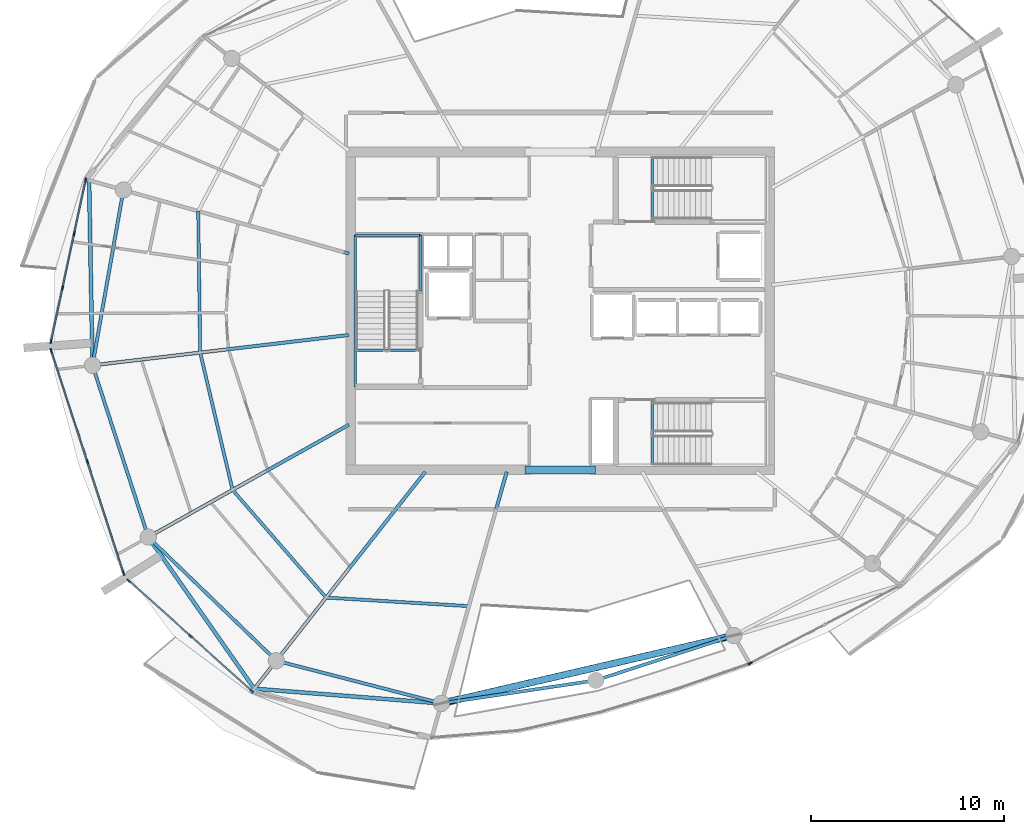
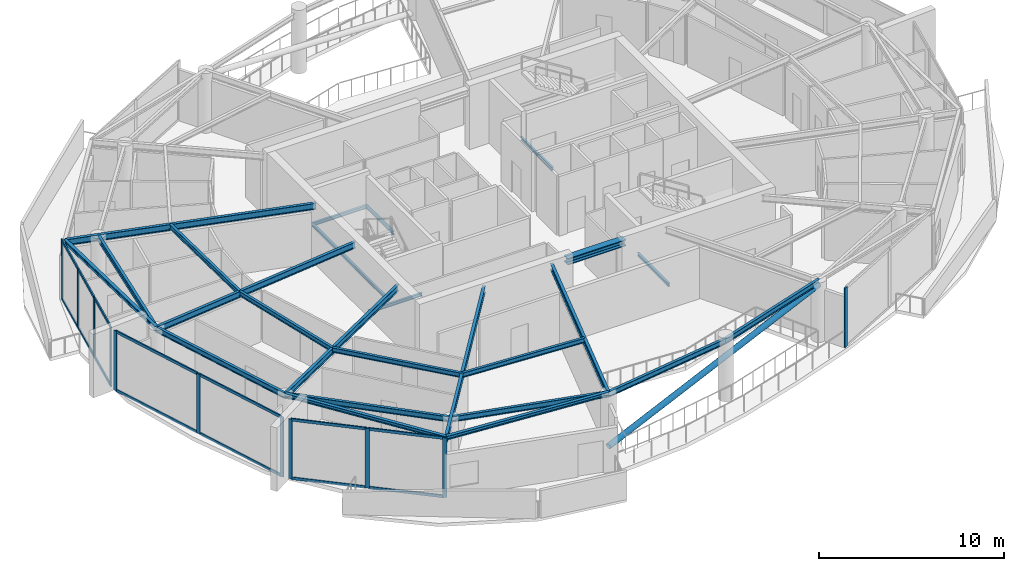
# One storey, part 5 of 22: 26 members, 25 beams, 4 elements without a shape of their own.
"""IFC4 building model written with IfcOpenShell, lengths in metres."""

from ifc_helpers import new_model, si_unit, direction, frame, origin, origin_2d, place, context, subcontext, project, spatial, rectangle, hollow_circle, i_section, extrude, material, layer, layer_set, material_profile, profile_set, type_object, element, aggregate, save


model = new_model("IFC4")

# Units and contexts
model_context = context("Model", 3, precision=1e-05, world=origin(), true_north=direction((0.0, 1.0)))
body_context = subcontext(model_context, "Body", "Model", "MODEL_VIEW")
ifc_project = project(units=[si_unit("LENGTHUNIT", "METRE"), si_unit("AREAUNIT", "SQUARE_METRE"), si_unit("VOLUMEUNIT", "CUBIC_METRE"), si_unit("PLANEANGLEUNIT", "RADIAN"), si_unit("MASSUNIT", "GRAM", prefix="KILO")], contexts=[model_context])

# Site, building, storey
site_placement = place(None, origin())
site = spatial("IfcSite", under=ifc_project, at=site_placement, CompositionType="ELEMENT")
building_placement = place(site_placement, origin())
building = spatial("IfcBuilding", under=site, at=building_placement, Name="Kazma Halo Residences", CompositionType="ELEMENT")
storey_placement = place(building_placement, frame((0.0, 0.0, 334.699951171875)))
storey = spatial("IfcBuildingStorey", under=building, at=storey_placement, Name="L84", CompositionType="ELEMENT", Elevation=334.699951171875)

# Beams
ifc_material_1 = material(Name="Steel S355", Category="steel")
ifc_material_profile_1 = material_profile(ifc_material_1, i_section(OverallWidth=0.201904296875, OverallDepth=0.2470703125, WebThickness=0.00732421875, FlangeThickness=0.010986328125, FilletRadius=0.011962890625, at=origin_2d()), Name="W250x49.1")
ifc_profile_set_1 = profile_set([ifc_material_profile_1], Name="Steel S355")
beam_type_1 = type_object("IfcBeamType", Name="BM-BAL-CANT", PredefinedType="BEAM", material=ifc_profile_set_1)
beam_1_placement = place(storey_placement, frame((23.9638671875, 48.77880859375, 3.816650390625), z_axis=(0.018301708623, -0.999832509704, 0.0), x_axis=(0.999832509704, 0.018301708623, 0.0)))
element("IfcBeam", 1, at=beam_1_placement, inside=storey, type_object=beam_type_1, Name="L84 wave-balcony tie beam 07", PredefinedType="BEAM", context=body_context, shape_type="SweptSolid", body=[
    extrude(i_section(OverallWidth=0.201904296875, OverallDepth=0.2470703125, WebThickness=0.00732421875, FlangeThickness=0.010986328125, FilletRadius=0.011962890625, at=origin_2d()), origin(), (0.0, 0.0, 1.0), 9.604736328125),
])
beam_2_placement = place(storey_placement, frame((27.03662109375, 30.260009765625, 3.816650390625), z_axis=(0.572873629847, -0.819643705659, 0.0), x_axis=(0.819643705659, 0.572873629847, 0.0)))
element("IfcBeam", 2, at=beam_2_placement, inside=storey, type_object=beam_type_1, Name="L84 wave-balcony lead tie beam 09", PredefinedType="BEAM", context=body_context, shape_type="SweptSolid", body=[
    extrude(i_section(OverallWidth=0.201904296875, OverallDepth=0.2470703125, WebThickness=0.00732421875, FlangeThickness=0.010986328125, FilletRadius=0.011962890625, at=origin_2d()), origin(), (0.0, 0.0, 1.0), 9.6044921875),
])
beam_3_placement = place(storey_placement, frame((32.538818359375, 22.3876953125, 3.816650390625), z_axis=(0.996920506796, -0.078418767718, 0.0), x_axis=(0.078418767718, 0.996920506796, 0.0)))
element("IfcBeam", 3, at=beam_3_placement, inside=storey, type_object=beam_type_1, Name="L84 wave-balcony tie beam 10", PredefinedType="BEAM", context=body_context, shape_type="SweptSolid", body=[
    extrude(i_section(OverallWidth=0.201904296875, OverallDepth=0.2470703125, WebThickness=0.00732421875, FlangeThickness=0.010986328125, FilletRadius=0.011962890625, at=origin_2d()), origin(), (0.0, 0.0, 1.0), 9.74462890625),
])
ifc_material_profile_2 = material_profile(ifc_material_1, i_section(OverallWidth=0.408935546875, OverallDepth=0.425048828125, WebThickness=0.03271484375, FlangeThickness=0.052490234375, FilletRadius=0.02001953125, at=origin_2d()), Name="W360x421")
ifc_profile_set_2 = profile_set([ifc_material_profile_2], Name="Steel S355")
beam_type_2 = type_object("IfcBeamType", Name="BM-CORE-W360H", PredefinedType="BEAM", material=ifc_profile_set_2)
beam_4_placement = place(storey_placement, frame((46.60009765625, 33.75, 3.7275390625), z_axis=(1.0, 0.0, 0.0), x_axis=(0.0, 1.0, 0.0)))
element("IfcBeam", 4, at=beam_4_placement, inside=storey, type_object=beam_type_2, Name="L84 core coupling beam S", PredefinedType="BEAM", context=body_context, shape_type="SweptSolid", body=[
    extrude(i_section(OverallWidth=0.408935546875, OverallDepth=0.425048828125, WebThickness=0.03271484375, FlangeThickness=0.052490234375, FilletRadius=0.02001953125, at=origin_2d()), origin(), (0.0, 0.0, 1.0), 3.64990234375),
])
ifc_material_profile_3 = material_profile(ifc_material_1, i_section(OverallWidth=0.177978515625, OverallDepth=0.406982421875, WebThickness=0.0078125, FlangeThickness=0.0126953125, FilletRadius=0.013916015625, at=origin_2d()), Name="W410x60")
ifc_profile_set_3 = profile_set([ifc_material_profile_3], Name="Steel S355")
beam_type_3 = type_object("IfcBeamType", Name="BM-RAD-W410", PredefinedType="BEAM", material=ifc_profile_set_3)
beam_5_placement = place(storey_placement, frame((37.449951171875, 44.975341796875, 3.736572265625), z_axis=(-0.962455278458, 0.27144030093, 0.0), x_axis=(-0.27144030093, -0.962455278458, 0.0)))
element("IfcBeam", 5, at=beam_5_placement, inside=storey, type_object=beam_type_3, Name="L84 radial floor beam 07", PredefinedType="BEAM", context=body_context, shape_type="SweptSolid", body=[
    extrude(i_section(OverallWidth=0.177978515625, OverallDepth=0.406982421875, WebThickness=0.0078125, FlangeThickness=0.0126953125, FilletRadius=0.013916015625, at=origin_2d()), origin(), (0.0, 0.0, 1.0), 14.01220703125),
])
beam_6_placement = place(storey_placement, frame((37.449951171875, 40.751220703125, 3.736572265625), z_axis=(-0.993067923032, -0.11754190846, 0.0), x_axis=(0.11754190846, -0.993067923032, 0.0)))
element("IfcBeam", 6, at=beam_6_placement, inside=storey, type_object=beam_type_3, Name="L84 radial floor beam 08", PredefinedType="BEAM", context=body_context, shape_type="SweptSolid", body=[
    extrude(i_section(OverallWidth=0.177978515625, OverallDepth=0.406982421875, WebThickness=0.0078125, FlangeThickness=0.0126953125, FilletRadius=0.013916015625, at=origin_2d()), origin(), (0.0, 0.0, 1.0), 13.4033203125),
])
beam_7_placement = place(storey_placement, frame((37.449951171875, 36.091796875, 3.736572265625), z_axis=(-0.872494504737, -0.4886239241, 0.0), x_axis=(0.4886239241, -0.872494504737, 0.0)))
element("IfcBeam", 7, at=beam_7_placement, inside=storey, type_object=beam_type_3, Name="L84 radial floor beam 09", PredefinedType="BEAM", context=body_context, shape_type="SweptSolid", body=[
    extrude(i_section(OverallWidth=0.177978515625, OverallDepth=0.406982421875, WebThickness=0.0078125, FlangeThickness=0.0126953125, FilletRadius=0.013916015625, at=origin_2d()), origin(), (0.0, 0.0, 1.0), 11.93505859375),
])
beam_8_placement = place(storey_placement, frame((41.41748046875, 33.64990234375, 3.736572265625), z_axis=(-0.61910487104, -0.78530832076, 0.0), x_axis=(0.78530832076, -0.61910487104, 0.0)))
element("IfcBeam", 8, at=beam_8_placement, inside=storey, type_object=beam_type_3, Name="L84 radial floor beam 10", PredefinedType="BEAM", context=body_context, shape_type="SweptSolid", body=[
    extrude(i_section(OverallWidth=0.177978515625, OverallDepth=0.406982421875, WebThickness=0.0078125, FlangeThickness=0.0126953125, FilletRadius=0.013916015625, at=origin_2d()), origin(), (0.0, 0.0, 1.0), 14.341064453125),
])
beam_9_placement = place(storey_placement, frame((45.64501953125, 33.64990234375, 3.736572265625), z_axis=(-0.271426752139, -0.962459099507, 0.0), x_axis=(0.962459099507, -0.271426752139, 0.0)))
element("IfcBeam", 9, at=beam_9_placement, inside=storey, type_object=beam_type_3, Name="L84 radial floor beam 11", PredefinedType="BEAM", context=body_context, shape_type="SweptSolid", body=[
    extrude(i_section(OverallWidth=0.177978515625, OverallDepth=0.406982421875, WebThickness=0.0078125, FlangeThickness=0.0126953125, FilletRadius=0.013916015625, at=origin_2d()), origin(), (0.0, 0.0, 1.0), 12.495361328125),
])
ifc_material_profile_4 = material_profile(ifc_material_1, i_section(OverallWidth=0.1650390625, OverallDepth=0.31005859375, WebThickness=0.005859375, FlangeThickness=0.009765625, FilletRadius=0.011962890625, at=origin_2d()), Name="W310x38.7")
ifc_profile_set_4 = profile_set([ifc_material_profile_4], Name="Steel S355")
beam_type_4 = type_object("IfcBeamType", Name="BM-SEC-W310B", PredefinedType="JOIST", material=ifc_profile_set_4)
beam_10_placement = place(storey_placement, frame((29.628173828125, 47.181396484375, 3.78515625), z_axis=(0.013861699983, -0.999903922021, 0.0), x_axis=(0.999903922021, 0.013861699983, 0.0)))
element("IfcBeam", 10, at=beam_10_placement, inside=storey, type_object=beam_type_4, Name="L84 circumferential floor joist 07", PredefinedType="JOIST", context=body_context, shape_type="SweptSolid", body=[
    extrude(i_section(OverallWidth=0.1650390625, OverallDepth=0.31005859375, WebThickness=0.005859375, FlangeThickness=0.009765625, FilletRadius=0.011962890625, at=origin_2d()), origin(), (0.0, 0.0, 1.0), 7.344482421875),
])
beam_11_placement = place(storey_placement, frame((29.72998046875, 39.837646484375, 3.78515625), z_axis=(0.229446221817, -0.973321340203, 0.0), x_axis=(0.973321340203, 0.229446221817, 0.0)))
element("IfcBeam", 11, at=beam_11_placement, inside=storey, type_object=beam_type_4, Name="L84 circumferential floor joist 08", PredefinedType="JOIST", context=body_context, shape_type="SweptSolid", body=[
    extrude(i_section(OverallWidth=0.1650390625, OverallDepth=0.31005859375, WebThickness=0.005859375, FlangeThickness=0.009765625, FilletRadius=0.011962890625, at=origin_2d()), origin(), (0.0, 0.0, 1.0), 7.32373046875),
])
beam_12_placement = place(storey_placement, frame((31.410400390625, 32.709228515625, 3.78515625), z_axis=(0.655826094878, -0.754912003664, 0.0), x_axis=(0.754912003664, 0.655826094878, 0.0)))
element("IfcBeam", 12, at=beam_12_placement, inside=storey, type_object=beam_type_4, Name="L84 circumferential floor joist 09", PredefinedType="JOIST", context=body_context, shape_type="SweptSolid", body=[
    extrude(i_section(OverallWidth=0.1650390625, OverallDepth=0.31005859375, WebThickness=0.005859375, FlangeThickness=0.009765625, FilletRadius=0.011962890625, at=origin_2d()), origin(), (0.0, 0.0, 1.0), 7.406494140625),
])
beam_13_placement = place(storey_placement, frame((36.267822265625, 27.117919921875, 3.78515625), z_axis=(0.998216858477, -0.059691736892, 0.0), x_axis=(0.059691736892, 0.998216858477, 0.0)))
element("IfcBeam", 13, at=beam_13_placement, inside=storey, type_object=beam_type_4, Name="L84 circumferential floor joist 10", PredefinedType="JOIST", context=body_context, shape_type="SweptSolid", body=[
    extrude(i_section(OverallWidth=0.1650390625, OverallDepth=0.31005859375, WebThickness=0.005859375, FlangeThickness=0.009765625, FilletRadius=0.011962890625, at=origin_2d()), origin(), (0.0, 0.0, 1.0), 7.42333984375),
])
ifc_material_profile_5 = material_profile(ifc_material_1, i_section(OverallWidth=0.1708984375, OverallDepth=0.35498046875, WebThickness=0.007080078125, FlangeThickness=0.01171875, FilletRadius=0.013916015625, at=origin_2d()), Name="W360x51")
ifc_profile_set_5 = profile_set([ifc_material_profile_5], Name="Steel S355")
beam_type_5 = type_object("IfcBeamType", Name="BM-SPN-W360", PredefinedType="BEAM", material=ifc_profile_set_5)
beam_14_placement = place(storey_placement, frame((25.744384765625, 48.276611328125, 3.762451171875), z_axis=(-0.173649692956, -0.984807485825, 0.0), x_axis=(0.984807485825, -0.173649692956, 0.0)))
element("IfcBeam", 14, at=beam_14_placement, inside=storey, type_object=beam_type_5, Name="L84 perimeter ring beam 07", PredefinedType="BEAM", context=body_context, shape_type="SweptSolid", body=[
    extrude(i_section(OverallWidth=0.1708984375, OverallDepth=0.35498046875, WebThickness=0.007080078125, FlangeThickness=0.01171875, FilletRadius=0.013916015625, at=origin_2d()), origin(), (0.0, 0.0, 1.0), 9.2412109375),
])
beam_15_placement = place(storey_placement, frame((24.1396484375, 39.17578125, 3.762451171875), z_axis=(0.309023062674, -0.951054544564, 0.0), x_axis=(0.951054544564, 0.309023062674, 0.0)))
element("IfcBeam", 15, at=beam_15_placement, inside=storey, type_object=beam_type_5, Name="L84 perimeter ring beam 08", PredefinedType="BEAM", context=body_context, shape_type="SweptSolid", body=[
    extrude(i_section(OverallWidth=0.1708984375, OverallDepth=0.35498046875, WebThickness=0.007080078125, FlangeThickness=0.01171875, FilletRadius=0.013916015625, at=origin_2d()), origin(), (0.0, 0.0, 1.0), 9.37451171875),
])
beam_16_placement = place(storey_placement, frame((27.03662109375, 30.260009765625, 3.762451171875), z_axis=(0.71933681628, -0.694661460529, 0.0), x_axis=(0.694661460529, 0.71933681628, 0.0)))
element("IfcBeam", 16, at=beam_16_placement, inside=storey, type_object=beam_type_5, Name="L84 perimeter ring beam 09", PredefinedType="BEAM", context=body_context, shape_type="SweptSolid", body=[
    extrude(i_section(OverallWidth=0.1708984375, OverallDepth=0.35498046875, WebThickness=0.007080078125, FlangeThickness=0.01171875, FilletRadius=0.013916015625, at=origin_2d()), origin(), (0.0, 0.0, 1.0), 9.2412109375),
])
beam_17_placement = place(storey_placement, frame((33.68408203125, 23.840576171875, 3.762451171875), z_axis=(0.968124082793, -0.250471076805, 0.0), x_axis=(0.250471076805, 0.968124082793, 0.0)))
element("IfcBeam", 17, at=beam_17_placement, inside=storey, type_object=beam_type_5, Name="L84 perimeter ring beam 10", PredefinedType="BEAM", context=body_context, shape_type="SweptSolid", body=[
    extrude(i_section(OverallWidth=0.1708984375, OverallDepth=0.35498046875, WebThickness=0.007080078125, FlangeThickness=0.01171875, FilletRadius=0.013916015625, at=origin_2d()), origin(), (0.0, 0.0, 1.0), 8.8515625),
])
beam_18_placement = place(storey_placement, frame((42.25341796875, 21.62353515625, 3.762451171875), z_axis=(0.989030710595, 0.147710031817, 0.0), x_axis=(-0.147710031817, 0.989030710595, 0.0)))
element("IfcBeam", 18, at=beam_18_placement, inside=storey, type_object=beam_type_5, Name="L84 perimeter ring beam 11", PredefinedType="BEAM", context=body_context, shape_type="SweptSolid", body=[
    extrude(i_section(OverallWidth=0.1708984375, OverallDepth=0.35498046875, WebThickness=0.007080078125, FlangeThickness=0.01171875, FilletRadius=0.013916015625, at=origin_2d()), origin(), (0.0, 0.0, 1.0), 8.10546875),
])
beam_19_placement = place(storey_placement, frame((50.27001953125, 22.82080078125, 3.762451171875), z_axis=(0.951056684666, 0.309016476183, 0.0), x_axis=(-0.309016476183, 0.951056684666, 0.0)))
element("IfcBeam", 19, at=beam_19_placement, inside=storey, type_object=beam_type_5, Name="L84 perimeter ring beam 12", PredefinedType="BEAM", context=body_context, shape_type="SweptSolid", body=[
    extrude(i_section(OverallWidth=0.1708984375, OverallDepth=0.35498046875, WebThickness=0.007080078125, FlangeThickness=0.01171875, FilletRadius=0.013916015625, at=origin_2d()), origin(), (0.0, 0.0, 1.0), 7.53564453125),
])
ifc_material_profile_6 = material_profile(ifc_material_1, i_section(OverallWidth=0.133056640625, OverallDepth=0.20703125, WebThickness=0.005859375, FlangeThickness=0.00830078125, FilletRadius=0.010009765625, at=origin_2d()), Name="W200x26.6")
ifc_profile_set_6 = profile_set([ifc_material_profile_6], Name="Steel S355")
beam_type_6 = type_object("IfcBeamType", Name="BM-TRIM-W200", PredefinedType="BEAM", material=ifc_profile_set_6)
for number, where, z_axis, x_axis, name in (
    (20, (37.800048828125, 39.949951171875, -0.369873046875), (1.0, 0.0, 0.0), (0.0, 1.0, 0.0), "L84 ST-01 floor landing support beam"),
    (21, (53.199951171875, 46.6201171875, -0.369873046875), (0.0, 1.0, 0.0), (-1.0, 0.0, 0.0), "L84 ST-02 floor landing support beam"),
    (22, (53.199951171875, 34.0, -0.369873046875), (0.0, 1.0, 0.0), (-1.0, 0.0, 0.0), "L84 ST-03 floor landing support beam"),
):
    element("IfcBeam", number, at=place(storey_placement, frame(where, z_axis=z_axis, x_axis=x_axis)), inside=storey, type_object=beam_type_6, Name=name, PredefinedType="BEAM", context=body_context, shape_type="SweptSolid", body=[
        extrude(i_section(OverallWidth=0.133056640625, OverallDepth=0.20703125, WebThickness=0.005859375, FlangeThickness=0.00830078125, FilletRadius=0.010009765625, at=origin_2d()), origin(), (0.0, 0.0, 1.0), 3.3798828125),
    ])
beam_20_placement = place(storey_placement, frame((37.780029296875, 38.06005859375, 1.795166015625), z_axis=(0.0, 1.0, 0.0), x_axis=(-1.0, 0.0, 0.0)))
element("IfcBeam", 23, at=beam_20_placement, inside=storey, type_object=beam_type_6, Name="L84 ST-01 landing west wall ledger", PredefinedType="BEAM", context=body_context, shape_type="SweptSolid", body=[
    extrude(i_section(OverallWidth=0.133056640625, OverallDepth=0.20703125, WebThickness=0.005859375, FlangeThickness=0.00830078125, FilletRadius=0.010009765625, at=origin_2d()), origin(), (0.0, 0.0, 1.0), 7.8798828125),
])
beam_21_placement = place(storey_placement, frame((41.179931640625, 43.030029296875, 1.795166015625), z_axis=(0.0, 1.0, 0.0), x_axis=(-1.0, 0.0, 0.0)))
element("IfcBeam", 24, at=beam_21_placement, inside=storey, type_object=beam_type_6, Name="L84 ST-01 landing east wall ledger", PredefinedType="BEAM", context=body_context, shape_type="SweptSolid", body=[
    extrude(i_section(OverallWidth=0.133056640625, OverallDepth=0.20703125, WebThickness=0.005859375, FlangeThickness=0.00830078125, FilletRadius=0.010009765625, at=origin_2d()), origin(), (0.0, 0.0, 1.0), 2.909912109375),
])
beam_22_placement = place(storey_placement, frame((37.780029296875, 45.93994140625, 1.795166015625), z_axis=(1.0, 0.0, 0.0), x_axis=(0.0, 1.0, 0.0)))
element("IfcBeam", 25, at=beam_22_placement, inside=storey, type_object=beam_type_6, Name="L84 ST-01 landing end wall ledger", PredefinedType="BEAM", context=body_context, shape_type="SweptSolid", body=[
    extrude(i_section(OverallWidth=0.133056640625, OverallDepth=0.20703125, WebThickness=0.005859375, FlangeThickness=0.00830078125, FilletRadius=0.010009765625, at=origin_2d()), origin(), (0.0, 0.0, 1.0), 3.39990234375),
])

# Curtain wall, members
ifc_material_2 = material(Name="Aluminium AW-6063 T6 and Triple-Silver Low-E Glass", Category="aluminium")
ifc_layer = layer(ifc_material_2, 0.239990234375)
ifc_layer_set = layer_set([ifc_layer], Name="Aluminium AW-6063 T6 and Triple-Silver Low-E Glass")
curtain_wall_type = type_object("IfcCurtainWallType", Name="CW-SYS-6", PredefinedType="NOTDEFINED", material=ifc_layer_set)
curtain_wall_1_placement = place(storey_placement, origin())
curtain_wall_1 = element("IfcCurtainWall", 26, at=curtain_wall_1_placement, inside=storey, type_object=curtain_wall_type, Name="L84 unitised curtain wall B07", PredefinedType="NOTDEFINED")
ifc_material_3 = material(Name="Aluminium AW-6063 T6", Category="aluminium")
ifc_material_profile_7 = material_profile(ifc_material_3, rectangle(XDim=0.080078125, YDim=0.239990234375, at=origin_2d()), Name="CWM-80x240")
ifc_profile_set_7 = profile_set([ifc_material_profile_7], Name="Aluminium AW-6063 T6")
member_type_1 = type_object("IfcMemberType", Name="CW-SYS-6-MUL", PredefinedType="MULLION", material=ifc_profile_set_7)
member_1_placement = place(storey_placement, frame((23.7841796875, 48.7880859375, 0.0), z_axis=(0.0, 0.0, 1.0), x_axis=(0.977760865363, -0.209722888986, 0.0)))
member_1 = element("IfcMember", 27, at=member_1_placement, type_object=member_type_1, Name="CWS-6 mullion 1", PredefinedType="MULLION", context=body_context, shape_type="SweptSolid", body=[
    extrude(rectangle(XDim=0.080078125, YDim=0.239990234375, at=origin_2d()), origin(), (0.0, 0.0, 1.0), 3.93994140625),
])
member_2_placement = place(storey_placement, frame((23.18896484375, 46.013427734375, 0.0), z_axis=(0.0, 0.0, 1.0), x_axis=(0.977760865363, -0.209722888986, 0.0)))
member_2 = element("IfcMember", 28, at=member_2_placement, type_object=member_type_1, Name="CWS-6 mullion 2", PredefinedType="MULLION", context=body_context, shape_type="SweptSolid", body=[
    extrude(rectangle(XDim=0.080078125, YDim=0.239990234375, at=origin_2d()), origin(), (0.0, 0.0, 1.0), 3.93994140625),
])
member_3_placement = place(storey_placement, frame((22.58544921875, 43.19970703125, 0.0), z_axis=(0.0, 0.0, 1.0), x_axis=(0.977760865363, -0.209722888986, 0.0)))
member_3 = element("IfcMember", 29, at=member_3_placement, type_object=member_type_1, Name="CWS-6 mullion 3", PredefinedType="MULLION", context=body_context, shape_type="SweptSolid", body=[
    extrude(rectangle(XDim=0.080078125, YDim=0.239990234375, at=origin_2d()), origin(), (0.0, 0.0, 1.0), 3.93994140625),
])
member_4_placement = place(storey_placement, frame((21.990234375, 40.425048828125, 0.0), z_axis=(0.0, 0.0, 1.0), x_axis=(0.977760865363, -0.209722888986, 0.0)))
member_4 = element("IfcMember", 30, at=member_4_placement, type_object=member_type_1, Name="CWS-6 mullion 4", PredefinedType="MULLION", context=body_context, shape_type="SweptSolid", body=[
    extrude(rectangle(XDim=0.080078125, YDim=0.239990234375, at=origin_2d()), origin(), (0.0, 0.0, 1.0), 3.93994140625),
])

curtain_wall_2_placement = place(storey_placement, origin())
curtain_wall_2 = element("IfcCurtainWall", 31, at=curtain_wall_2_placement, inside=storey, type_object=curtain_wall_type, Name="L84 unitised curtain wall B08", PredefinedType="NOTDEFINED")
member_5_placement = place(storey_placement, frame((22.0009765625, 39.937744140625, 0.0), z_axis=(0.0, 0.0, 1.0), x_axis=(0.951055886462, 0.309018932797, 0.0)))
member_5 = element("IfcMember", 32, at=member_5_placement, type_object=member_type_1, Name="CWS-6 mullion 1", PredefinedType="MULLION", context=body_context, shape_type="SweptSolid", body=[
    extrude(rectangle(XDim=0.080078125, YDim=0.239990234375, at=origin_2d()), origin(), (0.0, 0.0, 1.0), 3.93994140625),
])
member_6_placement = place(storey_placement, frame((23.87744140625, 34.162109375, 0.0), z_axis=(0.0, 0.0, 1.0), x_axis=(0.951055886462, 0.309018932797, 0.0)))
member_6 = element("IfcMember", 33, at=member_6_placement, type_object=member_type_1, Name="CWS-6 mullion 2", PredefinedType="MULLION", context=body_context, shape_type="SweptSolid", body=[
    extrude(rectangle(XDim=0.080078125, YDim=0.239990234375, at=origin_2d()), origin(), (0.0, 0.0, 1.0), 3.93994140625),
])
member_7_placement = place(storey_placement, frame((25.754150390625, 28.38671875, 0.0), z_axis=(0.0, 0.0, 1.0), x_axis=(0.951055886462, 0.309018932797, 0.0)))
member_7 = element("IfcMember", 34, at=member_7_placement, type_object=member_type_1, Name="CWS-6 mullion 3", PredefinedType="MULLION", context=body_context, shape_type="SweptSolid", body=[
    extrude(rectangle(XDim=0.080078125, YDim=0.239990234375, at=origin_2d()), origin(), (0.0, 0.0, 1.0), 3.93994140625),
])

curtain_wall_3_placement = place(storey_placement, origin())
curtain_wall_3 = element("IfcCurtainWall", 35, at=curtain_wall_3_placement, inside=storey, type_object=curtain_wall_type, Name="L84 unitised curtain wall B09", PredefinedType="NOTDEFINED")
member_8_placement = place(storey_placement, frame((26.031982421875, 27.986083984375, 0.0), z_axis=(0.0, 0.0, 1.0), x_axis=(0.667757559118, 0.744378829791, 0.0)))
member_8 = element("IfcMember", 36, at=member_8_placement, type_object=member_type_1, Name="CWS-6 mullion 1", PredefinedType="MULLION", context=body_context, shape_type="SweptSolid", body=[
    extrude(rectangle(XDim=0.080078125, YDim=0.239990234375, at=origin_2d()), origin(), (0.0, 0.0, 1.0), 3.93994140625),
])
member_9_placement = place(storey_placement, frame((29.21533203125, 25.13037109375, 0.0), z_axis=(0.0, 0.0, 1.0), x_axis=(0.667757559118, 0.744378829791, 0.0)))
member_9 = element("IfcMember", 37, at=member_9_placement, type_object=member_type_1, Name="CWS-6 mullion 2", PredefinedType="MULLION", context=body_context, shape_type="SweptSolid", body=[
    extrude(rectangle(XDim=0.080078125, YDim=0.239990234375, at=origin_2d()), origin(), (0.0, 0.0, 1.0), 3.93994140625),
])
member_10_placement = place(storey_placement, frame((32.39892578125, 22.2744140625, 0.0), z_axis=(0.0, 0.0, 1.0), x_axis=(0.667757559118, 0.744378829791, 0.0)))
member_10 = element("IfcMember", 38, at=member_10_placement, type_object=member_type_1, Name="CWS-6 mullion 3", PredefinedType="MULLION", context=body_context, shape_type="SweptSolid", body=[
    extrude(rectangle(XDim=0.080078125, YDim=0.239990234375, at=origin_2d()), origin(), (0.0, 0.0, 1.0), 3.93994140625),
])

# Curtain wall, member
curtain_wall_4_placement = place(storey_placement, origin())
curtain_wall_4 = element("IfcCurtainWall", 39, at=curtain_wall_4_placement, inside=storey, type_object=curtain_wall_type, Name="L84 unitised curtain wall B13", PredefinedType="NOTDEFINED")
member_11_placement = place(storey_placement, frame((58.290283203125, 23.70703125, 0.0), z_axis=(0.0, 0.0, 1.0), x_axis=(-0.460796020861, 0.887506071618, 0.0)))
member_11 = element("IfcMember", 40, at=member_11_placement, type_object=member_type_1, Name="CWS-6 mullion 1", PredefinedType="MULLION", context=body_context, shape_type="SweptSolid", body=[
    extrude(rectangle(XDim=0.080078125, YDim=0.239990234375, at=origin_2d()), origin(), (0.0, 0.0, 1.0), 3.93994140625),
])
aggregate(curtain_wall_4, [member_11])

# Member
ifc_material_profile_8 = material_profile(ifc_material_3, rectangle(XDim=0.080078125, YDim=0.179931640625, at=origin_2d()), Name="CWT-80x180")
ifc_profile_set_8 = profile_set([ifc_material_profile_8], Name="Aluminium AW-6063 T6")
member_type_2 = type_object("IfcMemberType", Name="CW-SYS-6-TRN", PredefinedType="USERDEFINED", material=ifc_profile_set_8)
member_12_placement = place(storey_placement, frame((23.775634765625, 48.7490234375, 0.0400390625), z_axis=(-0.209716499477, -0.977762235846, 0.0), x_axis=(0.977762235846, -0.209716499477, 0.0)))
member_12 = element("IfcMember", 41, at=member_12_placement, type_object=member_type_2, Name="CWS-6 transom 1.1", ObjectType="TRANSOM", PredefinedType="USERDEFINED", context=body_context, shape_type="SweptSolid", body=[
    extrude(rectangle(XDim=0.080078125, YDim=0.179931640625, at=origin_2d()), origin(), (0.0, 0.0, 1.0), 2.7578125),
])

member_13_placement = place(storey_placement, frame((23.775634765625, 48.7490234375, 3.900146484375), z_axis=(-0.209716499477, -0.977762235846, 0.0), x_axis=(0.977762235846, -0.209716499477, 0.0)))
member_13 = element("IfcMember", 42, at=member_13_placement, type_object=member_type_2, Name="CWS-6 transom 1.2", ObjectType="TRANSOM", PredefinedType="USERDEFINED", context=body_context, shape_type="SweptSolid", body=[
    extrude(rectangle(XDim=0.080078125, YDim=0.179931640625, at=origin_2d()), origin(), (0.0, 0.0, 1.0), 2.7578125),
])

member_14_placement = place(storey_placement, frame((23.1806640625, 45.974365234375, 0.0400390625), z_axis=(-0.209773410621, -0.977750027459, 0.0), x_axis=(0.977750027459, -0.209773410621, 0.0)))
member_14 = element("IfcMember", 43, at=member_14_placement, type_object=member_type_2, Name="CWS-6 transom 2.1", ObjectType="TRANSOM", PredefinedType="USERDEFINED", context=body_context, shape_type="SweptSolid", body=[
    extrude(rectangle(XDim=0.080078125, YDim=0.179931640625, at=origin_2d()), origin(), (0.0, 0.0, 1.0), 2.7978515625),
])

member_15_placement = place(storey_placement, frame((23.1806640625, 45.974365234375, 3.900146484375), z_axis=(-0.209773410621, -0.977750027459, 0.0), x_axis=(0.977750027459, -0.209773410621, 0.0)))
member_15 = element("IfcMember", 44, at=member_15_placement, type_object=member_type_2, Name="CWS-6 transom 2.2", ObjectType="TRANSOM", PredefinedType="USERDEFINED", context=body_context, shape_type="SweptSolid", body=[
    extrude(rectangle(XDim=0.080078125, YDim=0.179931640625, at=origin_2d()), origin(), (0.0, 0.0, 1.0), 2.7978515625),
])

member_16_placement = place(storey_placement, frame((22.5771484375, 43.16064453125, 0.0400390625), z_axis=(-0.209716499477, -0.977762235846, 0.0), x_axis=(0.977762235846, -0.209716499477, 0.0)))
member_16 = element("IfcMember", 45, at=member_16_placement, type_object=member_type_2, Name="CWS-6 transom 3.1", ObjectType="TRANSOM", PredefinedType="USERDEFINED", context=body_context, shape_type="SweptSolid", body=[
    extrude(rectangle(XDim=0.080078125, YDim=0.179931640625, at=origin_2d()), origin(), (0.0, 0.0, 1.0), 2.7578125),
])

member_17_placement = place(storey_placement, frame((22.5771484375, 43.16064453125, 3.900146484375), z_axis=(-0.209716499477, -0.977762235846, 0.0), x_axis=(0.977762235846, -0.209716499477, 0.0)))
member_17 = element("IfcMember", 46, at=member_17_placement, type_object=member_type_2, Name="CWS-6 transom 3.2", ObjectType="TRANSOM", PredefinedType="USERDEFINED", context=body_context, shape_type="SweptSolid", body=[
    extrude(rectangle(XDim=0.080078125, YDim=0.179931640625, at=origin_2d()), origin(), (0.0, 0.0, 1.0), 2.7578125),
])

aggregate(curtain_wall_1, [member_1, member_2, member_3, member_4, member_12, member_13, member_14, member_15, member_16, member_17])

member_18_placement = place(storey_placement, frame((22.013427734375, 39.899658203125, 0.0400390625), z_axis=(0.309007770724, -0.951059513191, 0.0), x_axis=(0.951059513191, 0.309007770724, 0.0)))
member_18 = element("IfcMember", 47, at=member_18_placement, type_object=member_type_2, Name="CWS-6 transom 1.1", ObjectType="TRANSOM", PredefinedType="USERDEFINED", context=body_context, shape_type="SweptSolid", body=[
    extrude(rectangle(XDim=0.080078125, YDim=0.179931640625, at=origin_2d()), origin(), (0.0, 0.0, 1.0), 5.99267578125),
])

member_19_placement = place(storey_placement, frame((22.013427734375, 39.899658203125, 3.900146484375), z_axis=(0.309007770724, -0.951059513191, 0.0), x_axis=(0.951059513191, 0.309007770724, 0.0)))
member_19 = element("IfcMember", 48, at=member_19_placement, type_object=member_type_2, Name="CWS-6 transom 1.2", ObjectType="TRANSOM", PredefinedType="USERDEFINED", context=body_context, shape_type="SweptSolid", body=[
    extrude(rectangle(XDim=0.080078125, YDim=0.179931640625, at=origin_2d()), origin(), (0.0, 0.0, 1.0), 5.99267578125),
])

member_20_placement = place(storey_placement, frame((23.889892578125, 34.1240234375, 0.0400390625), z_axis=(0.309019743831, -0.951055622938, 0.0), x_axis=(0.951055622938, 0.309019743831, 0.0)))
member_20 = element("IfcMember", 49, at=member_20_placement, type_object=member_type_2, Name="CWS-6 transom 2.1", ObjectType="TRANSOM", PredefinedType="USERDEFINED", context=body_context, shape_type="SweptSolid", body=[
    extrude(rectangle(XDim=0.080078125, YDim=0.179931640625, at=origin_2d()), origin(), (0.0, 0.0, 1.0), 5.992431640625),
])

member_21_placement = place(storey_placement, frame((23.889892578125, 34.1240234375, 3.900146484375), z_axis=(0.309019743831, -0.951055622938, 0.0), x_axis=(0.951055622938, 0.309019743831, 0.0)))
member_21 = element("IfcMember", 50, at=member_21_placement, type_object=member_type_2, Name="CWS-6 transom 2.2", ObjectType="TRANSOM", PredefinedType="USERDEFINED", context=body_context, shape_type="SweptSolid", body=[
    extrude(rectangle(XDim=0.080078125, YDim=0.179931640625, at=origin_2d()), origin(), (0.0, 0.0, 1.0), 5.992431640625),
])

aggregate(curtain_wall_2, [member_5, member_6, member_7, member_18, member_19, member_20, member_21])

member_22_placement = place(storey_placement, frame((26.061767578125, 27.95947265625, 0.0400390625), z_axis=(0.744349048391, -0.66779075627, 0.0), x_axis=(0.66779075627, 0.744349048391, 0.0)))
member_22 = element("IfcMember", 51, at=member_22_placement, type_object=member_type_2, Name="CWS-6 transom 1.1", ObjectType="TRANSOM", PredefinedType="USERDEFINED", context=body_context, shape_type="SweptSolid", body=[
    extrude(rectangle(XDim=0.080078125, YDim=0.179931640625, at=origin_2d()), origin(), (0.0, 0.0, 1.0), 4.19677734375),
])

member_23_placement = place(storey_placement, frame((26.061767578125, 27.95947265625, 3.900146484375), z_axis=(0.744349048391, -0.66779075627, 0.0), x_axis=(0.66779075627, 0.744349048391, 0.0)))
member_23 = element("IfcMember", 52, at=member_23_placement, type_object=member_type_2, Name="CWS-6 transom 1.2", ObjectType="TRANSOM", PredefinedType="USERDEFINED", context=body_context, shape_type="SweptSolid", body=[
    extrude(rectangle(XDim=0.080078125, YDim=0.179931640625, at=origin_2d()), origin(), (0.0, 0.0, 1.0), 4.19677734375),
])

member_24_placement = place(storey_placement, frame((29.2451171875, 25.103515625, 0.0400390625), z_axis=(0.744403905463, -0.667729605103, 0.0), x_axis=(0.667729605103, 0.744403905463, 0.0)))
member_24 = element("IfcMember", 53, at=member_24_placement, type_object=member_type_2, Name="CWS-6 transom 2.1", ObjectType="TRANSOM", PredefinedType="USERDEFINED", context=body_context, shape_type="SweptSolid", body=[
    extrude(rectangle(XDim=0.080078125, YDim=0.179931640625, at=origin_2d()), origin(), (0.0, 0.0, 1.0), 4.19677734375),
])

member_25_placement = place(storey_placement, frame((29.2451171875, 25.103515625, 3.900146484375), z_axis=(0.744403905463, -0.667729605103, 0.0), x_axis=(0.667729605103, 0.744403905463, 0.0)))
member_25 = element("IfcMember", 54, at=member_25_placement, type_object=member_type_2, Name="CWS-6 transom 2.2", ObjectType="TRANSOM", PredefinedType="USERDEFINED", context=body_context, shape_type="SweptSolid", body=[
    extrude(rectangle(XDim=0.080078125, YDim=0.179931640625, at=origin_2d()), origin(), (0.0, 0.0, 1.0), 4.19677734375),
])

aggregate(curtain_wall_3, [member_8, member_9, member_10, member_22, member_23, member_24, member_25])

ifc_material_profile_9 = material_profile(ifc_material_1, hollow_circle(Radius=0.177734375, WallThickness=0.012451171875, at=origin_2d()), Name="CHS355.6x12.5")
ifc_profile_set_9 = profile_set([ifc_material_profile_9], Name="Steel S355")
member_type_3 = type_object("IfcMemberType", Name="MBR-PORT-CHS355", PredefinedType="BRACE", material=ifc_profile_set_9)
member_26_placement = place(storey_placement, frame((42.25341796875, 21.62353515625, 0.300048828125), z_axis=(0.953451168397, 0.221410522005, 0.204715046415), x_axis=(-0.226201096399, 0.974080624994, 0.0)))
element("IfcMember", 55, at=member_26_placement, inside=storey, type_object=member_type_3, Name="L84 upper wind-portal brace SSE", PredefinedType="BRACE", context=body_context, shape_type="SweptSolid", body=[
    extrude(hollow_circle(Radius=0.177734375, WallThickness=0.012451171875, at=origin_2d()), origin(), (0.0, 0.0, 1.0), 15.924560546875),
])

save(model, "model.ifc")
